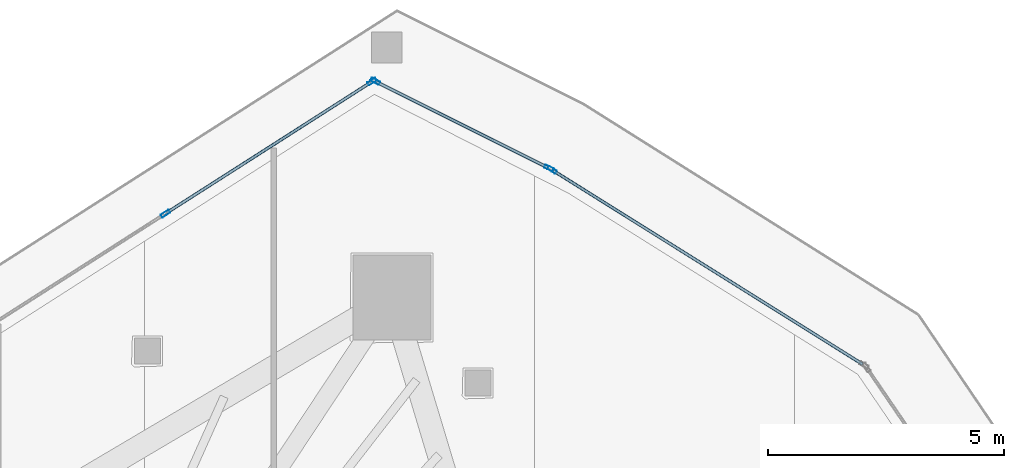
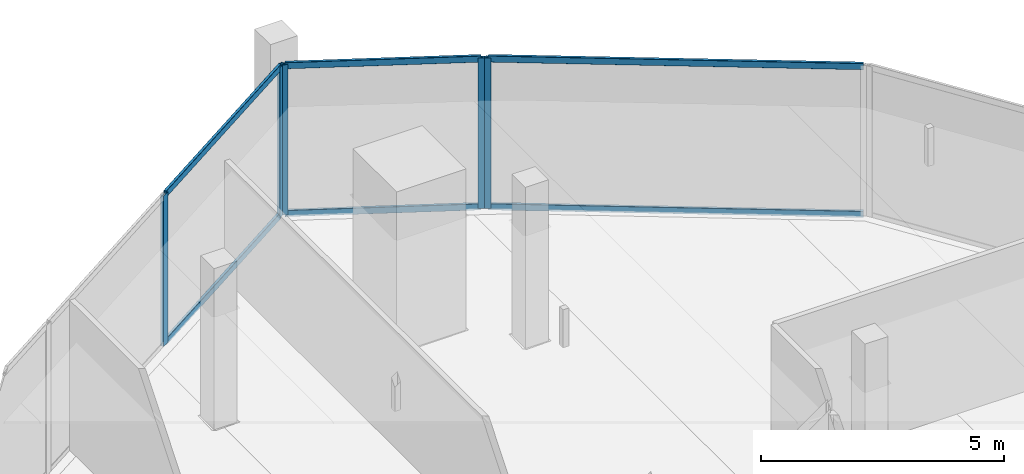
# One storey, part 18 of 32: 11 members, 3 elements without a shape of their own.
"""IFC4 building model written with IfcOpenShell, lengths in metres."""

import ifcopenshell
import ifcopenshell.guid

model = None  # the IFC model being written
_history = None  # IfcOwnerHistory: only IFC2X3 demands one
_inside = {}  # id of a spatial element -> (the spatial element, [elements in it])
_under = {}  # id of a project, library or spatial element -> (it, [spatial elements below it])
_declared = {}  # id of a project -> (the project, [libraries it declares])
_typed = {}  # id of a type object -> (the type object, [elements of that type])
_made_of = {}  # id of a material, layer set ... -> (it, [elements and type objects made of it])


def new_model(schema):
    """Start an empty IFC model of exactly this schema.

    Asked for "IFC4X3", IfcOpenShell would pick the latest addendum, in which some entities
    have other attributes; the version numbers below select the first issue.
    IFC2X3 requires an IfcOwnerHistory on every rooted entity: one is made here for all.
    """
    global model, _history
    if schema == "IFC4X3":
        model = ifcopenshell.file(schema_version=(4, 3, 0, 0))
    else:
        model = ifcopenshell.file(schema=schema)
    _inside.clear()
    _under.clear()
    _declared.clear()
    _typed.clear()
    _made_of.clear()
    _history = None
    if model.schema == "IFC2X3":
        org = make("IfcOrganization", Name="unknown")
        user = make(
            "IfcPersonAndOrganization",
            ThePerson=make("IfcPerson", FamilyName="unknown"),
            TheOrganization=org,
        )
        app = make(
            "IfcApplication",
            ApplicationDeveloper=org,
            Version="unknown",
            ApplicationFullName="unknown",
            ApplicationIdentifier="unknown",
        )
        _history = make(
            "IfcOwnerHistory",
            OwningUser=user,
            OwningApplication=app,
            ChangeAction="ADDED",
            CreationDate=0,
        )
    return model


def make(cls, **values):
    """One entity of the class cls with the attributes given. An attribute that is None is left unset."""
    return model.create_entity(
        cls, **{name: value for name, value in values.items() if value is not None}
    )


def rooted(cls, **values):
    """An entity with a GlobalId (a new one), such as an element, a storey or a relation."""
    return make(cls, GlobalId=ifcopenshell.guid.new(), OwnerHistory=_history, **values)


def si_unit(unit_type, name, prefix=None):
    """IfcSIUnit, for example si_unit("LENGTHUNIT", "METRE", prefix="MILLI")."""
    return make("IfcSIUnit", UnitType=unit_type, Prefix=prefix, Name=name)


def assignment(units):
    """IfcUnitAssignment: the units of a project."""
    return None if units is None else make("IfcUnitAssignment", Units=units)


def point(xyz):
    """IfcCartesianPoint."""
    return None if xyz is None else make("IfcCartesianPoint", Coordinates=xyz)


def direction(xyz):
    """IfcDirection."""
    return None if xyz is None else make("IfcDirection", DirectionRatios=xyz)


def frame(location, z_axis=None, x_axis=None):
    """IfcAxis2Placement3D, a coordinate frame: its origin and axes. An axis left out is left unset."""
    return make(
        "IfcAxis2Placement3D",
        Location=point(location),
        Axis=direction(z_axis),
        RefDirection=direction(x_axis),
    )


def frame_2d(location, x_axis=None):
    """IfcAxis2Placement2D, a coordinate frame in the plane: its origin and x axis."""
    return make(
        "IfcAxis2Placement2D", Location=point(location), RefDirection=direction(x_axis)
    )


def origin():
    """The frame at (0, 0, 0) with its axes left unset."""
    return frame((0.0, 0.0, 0.0))


def origin_2d():
    """The frame at (0, 0) in the plane with its x axis left unset."""
    return frame_2d((0.0, 0.0))


def place(relative_to, where):
    """IfcLocalPlacement: puts the frame where relative to a parent placement (None: the world)."""
    return make(
        "IfcLocalPlacement", PlacementRelTo=relative_to, RelativePlacement=where
    )


def context(
    kind, dimensions, precision=None, world=None, true_north=None, identifier=None
):
    """IfcGeometricRepresentationContext, for example the 3D "Model" context."""
    return make(
        "IfcGeometricRepresentationContext",
        ContextIdentifier=identifier,
        ContextType=kind,
        CoordinateSpaceDimension=dimensions,
        Precision=precision,
        WorldCoordinateSystem=world,
        TrueNorth=true_north,
    )


def subcontext(parent, identifier, kind, view, scale=None):
    """IfcGeometricRepresentationSubContext, for example "Body" below "Model"."""
    return make(
        "IfcGeometricRepresentationSubContext",
        ContextIdentifier=identifier,
        ContextType=kind,
        ParentContext=parent,
        TargetScale=scale,
        TargetView=view,
    )


def project(units=None, contexts=None):
    """IfcProject with its units and contexts."""
    return rooted(
        "IfcProject",
        Name="project",
        RepresentationContexts=contexts,
        UnitsInContext=assignment(units),
    )


def spatial(cls, under=None, at=None, **own):
    """A site, building, storey or space (cls), placed at a placement, below another one or the project."""
    s = rooted(cls, ObjectPlacement=at, **own)
    if under is not None:
        _under.setdefault(under.id(), (under, []))[1].append(s)
    return s


def profile(cls, at=None, kind="AREA", **sizes):
    """A parametric profile (cls). Its sizes go by their IFC names, for example OverallWidth=200.0."""
    return make(cls, ProfileType=kind, Position=at, **sizes)


def hollow_rectangle(**sizes):
    """IfcRectangleHollowProfileDef."""
    return profile("IfcRectangleHollowProfileDef", **sizes)


def extrude(swept, where, along, depth):
    """IfcExtrudedAreaSolid: the profile swept, set in the frame where, extruded along a direction by depth."""
    return make(
        "IfcExtrudedAreaSolid",
        SweptArea=swept,
        Position=where,
        ExtrudedDirection=direction(along),
        Depth=depth,
    )


def shape(context_of_items, identifier, shape_type, items):
    """IfcShapeRepresentation: the items that make up one representation, for example the "Body"."""
    return make(
        "IfcShapeRepresentation",
        ContextOfItems=context_of_items,
        RepresentationIdentifier=identifier,
        RepresentationType=shape_type,
        Items=items,
    )


def material(Name=None, Category=None):
    """IfcMaterial."""
    return make("IfcMaterial", Name=Name, Category=Category)


def layer(
    of_material, thickness, ventilated=None, Name=None, Category=None, Priority=None
):
    """IfcMaterialLayer: one layer of a wall or slab, of a material (None: an air gap)."""
    return make(
        "IfcMaterialLayer",
        Material=of_material,
        LayerThickness=thickness,
        IsVentilated=ventilated,
        Name=Name,
        Category=Category,
        Priority=Priority,
    )


def layer_set(layers, Name=None):
    """IfcMaterialLayerSet."""
    return make("IfcMaterialLayerSet", MaterialLayers=layers, LayerSetName=Name)


def material_profile(
    of_material, cross_section, Name=None, Category=None, Priority=None
):
    """IfcMaterialProfile: a cross section and its material."""
    return make(
        "IfcMaterialProfile",
        Name=Name,
        Material=of_material,
        Profile=cross_section,
        Priority=Priority,
        Category=Category,
    )


def profile_set(profiles, Name=None, composite=None):
    """IfcMaterialProfileSet."""
    return make(
        "IfcMaterialProfileSet",
        Name=Name,
        MaterialProfiles=profiles,
        CompositeProfile=composite,
    )


def made_of(thing, what):
    """Note that an element or type object is made of a material, layer set ...; save() writes the relation."""
    if what is not None:
        _made_of.setdefault(what.id(), (what, []))[1].append(thing)
    return thing


def type_object(cls, material=None, **own):
    """A type object (cls), such as IfcWallType, which elements share."""
    return made_of(rooted(cls, **own), material)


def element(
    cls,
    number,
    at=None,
    inside=None,
    cuts=None,
    type_object=None,
    material=None,
    context=None,
    identifier="Body",
    shape_type=None,
    held_by="IfcProductDefinitionShape",
    body=None,
    shapes=None,
    **own,
):
    """One element of the class cls, such as IfcWall. Its Tag is "e" and its number.

    at: its placement. inside: the storey or other place that contains it. cuts: it is an
    opening in that element (IfcRelVoidsElement). A single representation is given by context,
    identifier, shape_type and body (its items); several are given by shapes. held_by: the class
    of the entity that holds the representations. save() writes the other relations.
    """
    e = rooted(cls, Tag="e%d" % number, ObjectPlacement=at, **own)
    if body is not None:
        shapes = [shape(context, identifier, shape_type, body)]
    if shapes is not None:
        e.Representation = make(held_by, Representations=shapes)
    if inside is not None:
        _inside.setdefault(inside.id(), (inside, []))[1].append(e)
    if cuts is not None:
        rooted(
            "IfcRelVoidsElement", RelatingBuildingElement=cuts, RelatedOpeningElement=e
        )
    if type_object is not None:
        _typed.setdefault(type_object.id(), (type_object, []))[1].append(e)
    return made_of(e, material)


def aggregate(whole, parts):
    """IfcRelAggregates: a whole, such as a stair, and the parts it consists of."""
    return rooted("IfcRelAggregates", RelatingObject=whole, RelatedObjects=parts)


def save(model, path):
    """Write the relations noted so far, then the file.

    IfcRelAggregates (storeys below a building ...), IfcRelContainedInSpatialStructure (elements
    in a storey), IfcRelDefinesByType, IfcRelAssociatesMaterial and IfcRelDeclares: one each for
    every whole, place, type object, material and project.
    """
    for whole, parts in _under.values():
        aggregate(whole, parts)
    for where, things in _inside.values():
        rooted(
            "IfcRelContainedInSpatialStructure",
            RelatedElements=things,
            RelatingStructure=where,
        )
    for kind, things in _typed.values():
        rooted("IfcRelDefinesByType", RelatedObjects=things, RelatingType=kind)
    for what, things in _made_of.values():
        rooted("IfcRelAssociatesMaterial", RelatedObjects=things, RelatingMaterial=what)
    for by, libraries in _declared.values():
        rooted("IfcRelDeclares", RelatingContext=by, RelatedDefinitions=libraries)
    model.write(path)


model = new_model("IFC4")

# Units and contexts
model_context = context("Model", 3, precision=1e-05, world=origin(), true_north=direction((0.0, 1.0)))
body_context = subcontext(model_context, "Body", "Model", "MODEL_VIEW")
ifc_project = project(units=[si_unit("LENGTHUNIT", "METRE"), si_unit("AREAUNIT", "SQUARE_METRE"), si_unit("VOLUMEUNIT", "CUBIC_METRE"), si_unit("PLANEANGLEUNIT", "RADIAN"), si_unit("MASSUNIT", "GRAM", prefix="KILO")], contexts=[model_context])

# Site, building, storey
site_placement = place(None, origin())
site = spatial("IfcSite", under=ifc_project, at=site_placement, CompositionType="ELEMENT")
building_placement = place(site_placement, origin())
building = spatial("IfcBuilding", under=site, at=building_placement, Name="Qorvath Tower", CompositionType="ELEMENT")
storey_placement = place(building_placement, frame((0.0, 0.0, 233.39990234375)))
storey = spatial("IfcBuildingStorey", under=building, at=storey_placement, Name="L54", CompositionType="ELEMENT", Elevation=233.39990234375)

# Curtain wall, member
ifc_material_1 = material(Name="Anodised aluminium and triple low-E glass", Category="aluminium")
ifc_layer = layer(ifc_material_1, 0.179931640625)
ifc_layer_set = layer_set([ifc_layer], Name="CW-SYS-5")
curtain_wall_type = type_object("IfcCurtainWallType", Name="CW-SYS-5", PredefinedType="NOTDEFINED", material=ifc_layer_set)
curtain_wall_1_placement = place(storey_placement, origin())
curtain_wall_1 = element("IfcCurtainWall", 1, at=curtain_wall_1_placement, inside=storey, type_object=curtain_wall_type, Name="Curtain Wall CW-5 CW-T-L54-16.1", PredefinedType="NOTDEFINED")
ifc_material_2 = material(Name="Anodised aluminium 6063-T6", Category="aluminium")
ifc_material_profile_1 = material_profile(ifc_material_2, hollow_rectangle(XDim=0.074951171875, YDim=0.199951171875, WallThickness=0.00390625, InnerFilletRadius=0.00390625, OuterFilletRadius=0.008056640625, at=origin_2d()), Name="CWM 200x75")
ifc_profile_set_1 = profile_set([ifc_material_profile_1], Name="Anodised aluminium 6063-T6")
member_type_1 = type_object("IfcMemberType", Name="CWM-200", PredefinedType="MULLION", material=ifc_profile_set_1)
member_1_placement = place(storey_placement, frame((-13.47802734375, 24.335693359375, 0.0), z_axis=(0.0, 0.0, 1.0), x_axis=(-0.530497446671, -0.847686533499, 0.0)))
member_1 = element("IfcMember", 2, at=member_1_placement, type_object=member_type_1, Name="CW-5 mullion 2", PredefinedType="MULLION", context=body_context, shape_type="SweptSolid", body=[
    extrude(hollow_rectangle(XDim=0.074951171875, YDim=0.199951171875, WallThickness=0.00390625, InnerFilletRadius=0.00390625, OuterFilletRadius=0.008056640625, at=origin_2d()), origin(), (0.0, 0.0, 1.0), 3.780029296875),
])

# Curtain wall, members
curtain_wall_2_placement = place(storey_placement, origin())
curtain_wall_2 = element("IfcCurtainWall", 3, at=curtain_wall_2_placement, inside=storey, type_object=curtain_wall_type, Name="Curtain Wall CW-5 CW-T-L54-17.1", PredefinedType="NOTDEFINED")
member_2_placement = place(storey_placement, frame((-13.54345703125, 24.37255859375, 0.0), z_axis=(0.0, 0.0, 1.0), x_axis=(-0.447213595499, -0.894427191001, 0.0)))
member_2 = element("IfcMember", 4, at=member_2_placement, type_object=member_type_1, Name="CW-5 mullion 1", PredefinedType="MULLION", context=body_context, shape_type="SweptSolid", body=[
    extrude(hollow_rectangle(XDim=0.074951171875, YDim=0.199951171875, WallThickness=0.00390625, InnerFilletRadius=0.00390625, OuterFilletRadius=0.008056640625, at=origin_2d()), origin(), (0.0, 0.0, 1.0), 3.780029296875),
])
member_3_placement = place(storey_placement, frame((-17.22314453125, 26.21240234375, 0.0), z_axis=(0.0, 0.0, 1.0), x_axis=(-0.447213595499, -0.894427191001, 0.0)))
member_3 = element("IfcMember", 5, at=member_3_placement, type_object=member_type_1, Name="CW-5 mullion 2", PredefinedType="MULLION", context=body_context, shape_type="SweptSolid", body=[
    extrude(hollow_rectangle(XDim=0.074951171875, YDim=0.199951171875, WallThickness=0.00390625, InnerFilletRadius=0.00390625, OuterFilletRadius=0.008056640625, at=origin_2d()), origin(), (0.0, 0.0, 1.0), 3.780029296875),
])

curtain_wall_3_placement = place(storey_placement, origin())
curtain_wall_3 = element("IfcCurtainWall", 6, at=curtain_wall_3_placement, inside=storey, type_object=curtain_wall_type, Name="Curtain Wall CW-5 CW-T-L54-18.1", PredefinedType="NOTDEFINED")
member_4_placement = place(storey_placement, frame((-17.288330078125, 26.208984375, 0.0), z_axis=(0.0, 0.0, 1.0), x_axis=(0.538528188002, -0.842607495057, 0.0)))
member_4 = element("IfcMember", 7, at=member_4_placement, type_object=member_type_1, Name="CW-5 mullion 1", PredefinedType="MULLION", context=body_context, shape_type="SweptSolid", body=[
    extrude(hollow_rectangle(XDim=0.074951171875, YDim=0.199951171875, WallThickness=0.00390625, InnerFilletRadius=0.00390625, OuterFilletRadius=0.008056640625, at=origin_2d()), origin(), (0.0, 0.0, 1.0), 3.780029296875),
])
member_5_placement = place(storey_placement, frame((-21.671875, 23.407470703125, 0.0), z_axis=(0.0, 0.0, 1.0), x_axis=(0.538528188002, -0.842607495057, 0.0)))
member_5 = element("IfcMember", 8, at=member_5_placement, type_object=member_type_1, Name="CW-5 mullion 2", PredefinedType="MULLION", context=body_context, shape_type="SweptSolid", body=[
    extrude(hollow_rectangle(XDim=0.074951171875, YDim=0.199951171875, WallThickness=0.00390625, InnerFilletRadius=0.00390625, OuterFilletRadius=0.008056640625, at=origin_2d()), origin(), (0.0, 0.0, 1.0), 3.780029296875),
])

# Member
ifc_material_3 = material(Name="Anodised aluminium 6063-T6", Category="aluminium")
ifc_material_profile_2 = material_profile(ifc_material_3, hollow_rectangle(XDim=0.06494140625, YDim=0.159912109375, WallThickness=0.00341796875, InnerFilletRadius=0.00341796875, OuterFilletRadius=0.007080078125, at=origin_2d()), Name="CWT 160x65")
ifc_profile_set_2 = profile_set([ifc_material_profile_2], Name="Anodised aluminium 6063-T6")
member_type_2 = type_object("IfcMemberType", Name="CWT-160", PredefinedType="USERDEFINED", material=ifc_profile_set_2)
member_6_placement = place(storey_placement, frame((-6.89501953125, 20.216064453125, 0.032470703125), z_axis=(-0.847689357742, 0.530492933762, 0.0), x_axis=(-0.530492933762, -0.847689357742, 0.0)))
member_6 = element("IfcMember", 9, at=member_6_placement, type_object=member_type_2, Name="CW-5 transom 1.1", ObjectType="TRANSOM", PredefinedType="USERDEFINED", context=body_context, shape_type="SweptSolid", body=[
    extrude(hollow_rectangle(XDim=0.06494140625, YDim=0.159912109375, WallThickness=0.00341796875, InnerFilletRadius=0.00341796875, OuterFilletRadius=0.007080078125, at=origin_2d()), origin(), (0.0, 0.0, 1.0), 7.728271484375),
])

member_7_placement = place(storey_placement, frame((-6.89501953125, 20.216064453125, 3.74755859375), z_axis=(-0.847689357742, 0.530492933762, 0.0), x_axis=(-0.530492933762, -0.847689357742, 0.0)))
member_7 = element("IfcMember", 10, at=member_7_placement, type_object=member_type_2, Name="CW-5 transom 1.2", ObjectType="TRANSOM", PredefinedType="USERDEFINED", context=body_context, shape_type="SweptSolid", body=[
    extrude(hollow_rectangle(XDim=0.06494140625, YDim=0.159912109375, WallThickness=0.00341796875, InnerFilletRadius=0.00341796875, OuterFilletRadius=0.007080078125, at=origin_2d()), origin(), (0.0, 0.0, 1.0), 7.728271484375),
])

aggregate(curtain_wall_1, [member_1, member_6, member_7])

member_8_placement = place(storey_placement, frame((-13.576904296875, 24.38916015625, 0.032470703125), z_axis=(-0.894427191, 0.4472135955, 0.0), x_axis=(-0.4472135955, -0.894427191, 0.0)))
member_8 = element("IfcMember", 11, at=member_8_placement, type_object=member_type_2, Name="CW-5 transom 1.1", ObjectType="TRANSOM", PredefinedType="USERDEFINED", context=body_context, shape_type="SweptSolid", body=[
    extrude(hollow_rectangle(XDim=0.06494140625, YDim=0.159912109375, WallThickness=0.00341796875, InnerFilletRadius=0.00341796875, OuterFilletRadius=0.007080078125, at=origin_2d()), origin(), (0.0, 0.0, 1.0), 4.039306640625),
])

member_9_placement = place(storey_placement, frame((-13.576904296875, 24.38916015625, 3.74755859375), z_axis=(-0.894427191, 0.4472135955, 0.0), x_axis=(-0.4472135955, -0.894427191, 0.0)))
member_9 = element("IfcMember", 12, at=member_9_placement, type_object=member_type_2, Name="CW-5 transom 1.2", ObjectType="TRANSOM", PredefinedType="USERDEFINED", context=body_context, shape_type="SweptSolid", body=[
    extrude(hollow_rectangle(XDim=0.06494140625, YDim=0.159912109375, WallThickness=0.00341796875, InnerFilletRadius=0.00341796875, OuterFilletRadius=0.007080078125, at=origin_2d()), origin(), (0.0, 0.0, 1.0), 4.039306640625),
])

aggregate(curtain_wall_2, [member_2, member_3, member_8, member_9])

member_10_placement = place(storey_placement, frame((-17.320068359375, 26.188720703125, 0.032470703125), z_axis=(-0.842612832178, -0.538519837191, 0.0), x_axis=(0.538519837191, -0.842612832178, 0.0)))
member_10 = element("IfcMember", 13, at=member_10_placement, type_object=member_type_2, Name="CW-5 transom 1.1", ObjectType="TRANSOM", PredefinedType="USERDEFINED", context=body_context, shape_type="SweptSolid", body=[
    extrude(hollow_rectangle(XDim=0.06494140625, YDim=0.159912109375, WallThickness=0.00341796875, InnerFilletRadius=0.00341796875, OuterFilletRadius=0.007080078125, at=origin_2d()), origin(), (0.0, 0.0, 1.0), 5.126953125),
])

member_11_placement = place(storey_placement, frame((-17.320068359375, 26.188720703125, 3.74755859375), z_axis=(-0.842612832178, -0.538519837191, 0.0), x_axis=(0.538519837191, -0.842612832178, 0.0)))
member_11 = element("IfcMember", 14, at=member_11_placement, type_object=member_type_2, Name="CW-5 transom 1.2", ObjectType="TRANSOM", PredefinedType="USERDEFINED", context=body_context, shape_type="SweptSolid", body=[
    extrude(hollow_rectangle(XDim=0.06494140625, YDim=0.159912109375, WallThickness=0.00341796875, InnerFilletRadius=0.00341796875, OuterFilletRadius=0.007080078125, at=origin_2d()), origin(), (0.0, 0.0, 1.0), 5.126953125),
])

aggregate(curtain_wall_3, [member_4, member_5, member_10, member_11])

save(model, "model.ifc")
